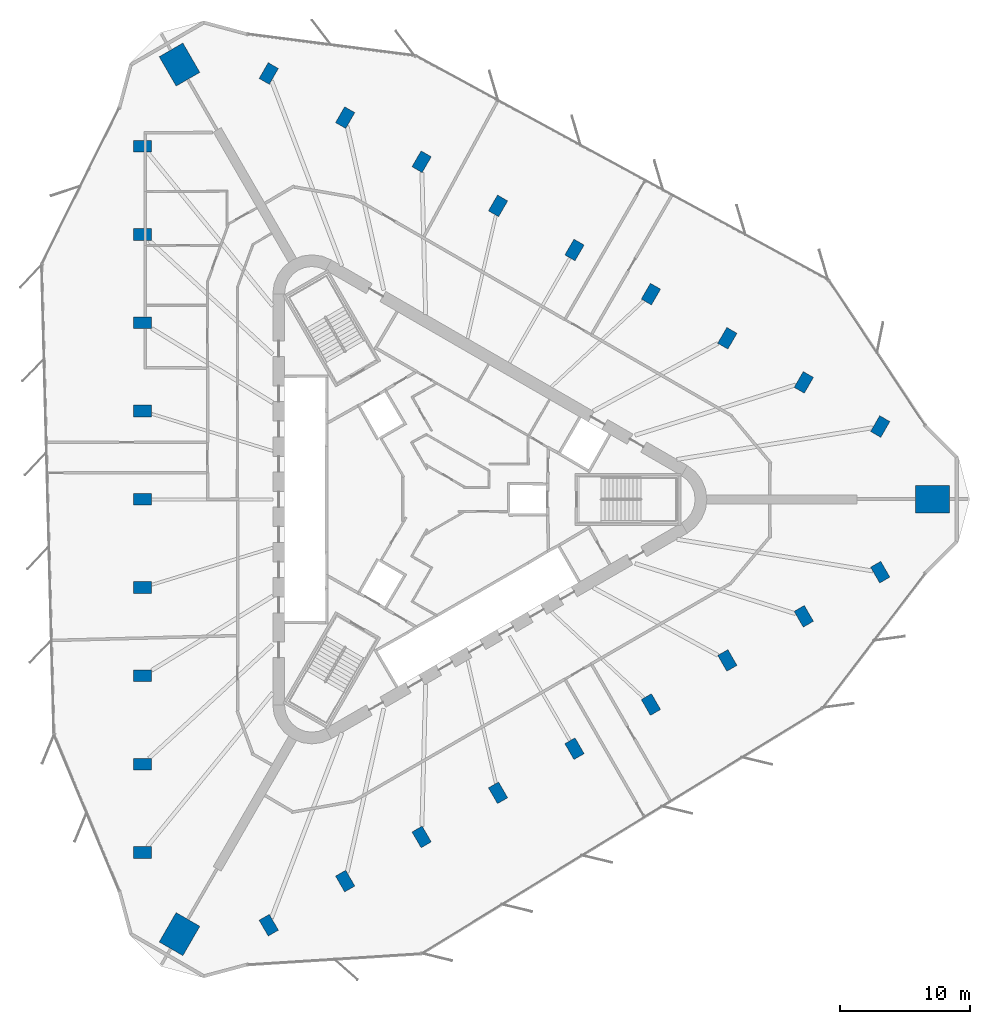
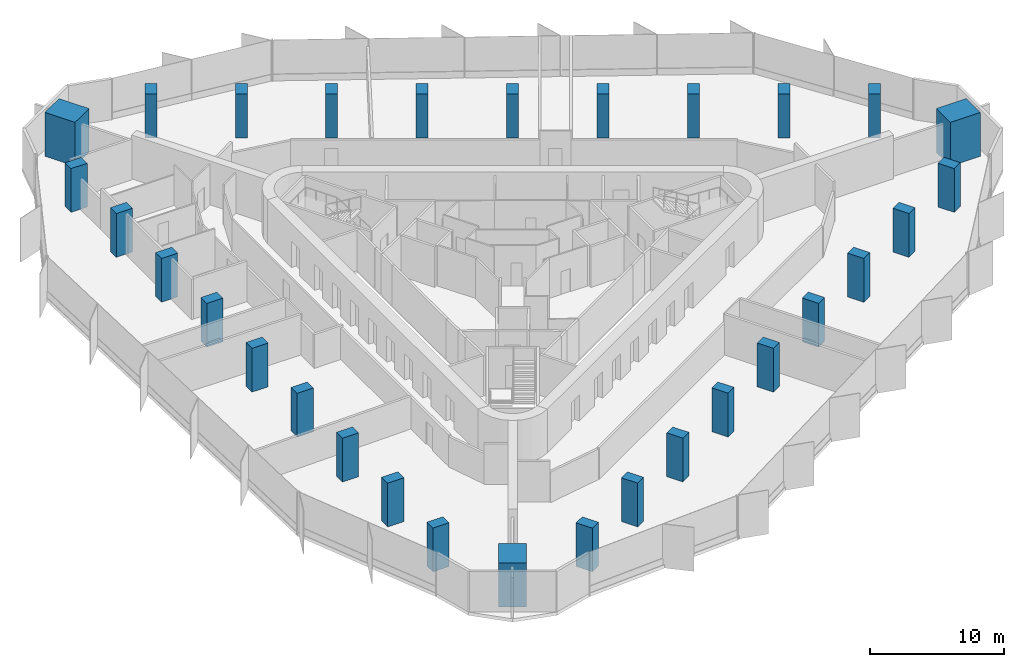
# One storey, part 1 of 14: 30 columns.
"""IFC4 building model written with IfcOpenShell, lengths in metres."""

from ifc_helpers import new_model, si_unit, direction, frame, origin, origin_2d, place, context, subcontext, project, spatial, rectangle, extrude, material, material_profile, profile_set, type_object, element, save


model = new_model("IFC4")

# Units and contexts
model_context = context("Model", 3, precision=1e-05, world=origin(), true_north=direction((0.0, 1.0)))
body_context = subcontext(model_context, "Body", "Model", "MODEL_VIEW")
ifc_project = project(units=[si_unit("LENGTHUNIT", "METRE"), si_unit("AREAUNIT", "SQUARE_METRE"), si_unit("VOLUMEUNIT", "CUBIC_METRE"), si_unit("PLANEANGLEUNIT", "RADIAN"), si_unit("MASSUNIT", "GRAM", prefix="KILO")], contexts=[model_context])

# Site, building, storey
site_placement = place(None, origin())
site = spatial("IfcSite", under=ifc_project, at=site_placement, CompositionType="ELEMENT")
building_placement = place(site_placement, origin())
building = spatial("IfcBuilding", under=site, at=building_placement, Name="Tanit Gate Tower", CompositionType="ELEMENT")
storey_placement = place(building_placement, frame((0.0, 0.0, 221.199951171875)))
storey = spatial("IfcBuildingStorey", under=building, at=storey_placement, Name="L49", CompositionType="ELEMENT", Elevation=221.199951171875)

# Columns
ifc_material_1 = material(Name="Concrete C60/75", Category="concrete")
ifc_material_profile_1 = material_profile(ifc_material_1, rectangle(XDim=2.60009765625, YDim=2.10009765625, at=origin_2d()), Name="RC 2600x2100")
ifc_profile_set_1 = profile_set([ifc_material_profile_1], Name="Concrete C60/75")
column_type_1 = type_object("IfcColumnType", Name="MEGA COLUMN 2600x2100 C60/75", PredefinedType="COLUMN", material=ifc_profile_set_1)
for number, where, z_axis, x_axis, name in (
    (1, (38.515380859375, 0.0, 0.0), (0.0, 0.0, 1.0), (1.0, 0.0, 0.0), "MEGA COLUMN"),
    (2, (-19.2578125, 33.355224609375, 0.0), (0.0, 0.0, 1.0), (-0.5, 0.866025403784, 0.0), "MEGA COLUMN"),
    (3, (-19.2578125, -33.355224609375, 0.0), (0.0, 0.0, 1.0), (-0.5, -0.866025403784, 0.0), "MEGA COLUMN"),
):
    element("IfcColumn", number, at=place(storey_placement, frame(where, z_axis=z_axis, x_axis=x_axis)), inside=storey, type_object=column_type_1, Name=name, PredefinedType="COLUMN", context=body_context, shape_type="SweptSolid", body=[
        extrude(rectangle(XDim=2.60009765625, YDim=2.10009765625, at=origin_2d()), origin(), (0.0, 0.0, 1.0), 4.0),
    ])
ifc_material_2 = material(Name="Concrete C50/60", Category="concrete")
ifc_material_profile_2 = material_profile(ifc_material_2, rectangle(XDim=1.39990234375, YDim=0.89990234375, at=origin_2d()), Name="RC 1400x900")
ifc_profile_set_2 = profile_set([ifc_material_profile_2], Name="Concrete C50/60")
column_type_2 = type_object("IfcColumnType", Name="PERIMETER COLUMN 1400x900 C50/60", PredefinedType="COLUMN", material=ifc_profile_set_2)
for number, where, z_axis, x_axis, name in (
    (4, (-22.088134765625, 27.083984375, 0.0), (0.0, 0.0, 1.0), (-1.0, 0.0, 0.0), "PERIMETER COLUMN"),
    (5, (-22.088134765625, 20.31298828125, 0.0), (0.0, 0.0, 1.0), (-1.0, 0.0, 0.0), "PERIMETER COLUMN"),
    (6, (-22.088134765625, 13.5419921875, 0.0), (0.0, 0.0, 1.0), (-1.0, 0.0, 0.0), "PERIMETER COLUMN"),
    (7, (-22.088134765625, 6.77099609375, 0.0), (0.0, 0.0, 1.0), (-1.0, 0.0, 0.0), "PERIMETER COLUMN"),
    (8, (-22.088134765625, 0.0, 0.0), (0.0, 0.0, 1.0), (-1.0, 0.0, 0.0), "PERIMETER COLUMN"),
    (9, (-22.088134765625, -6.77099609375, 0.0), (0.0, 0.0, 1.0), (-1.0, 0.0, 0.0), "PERIMETER COLUMN"),
    (10, (-22.088134765625, -13.5419921875, 0.0), (0.0, 0.0, 1.0), (-1.0, 0.0, 0.0), "PERIMETER COLUMN"),
    (11, (-22.088134765625, -20.31298828125, 0.0), (0.0, 0.0, 1.0), (-1.0, 0.0, 0.0), "PERIMETER COLUMN"),
    (12, (-22.088134765625, -27.083984375, 0.0), (0.0, 0.0, 1.0), (-1.0, 0.0, 0.0), "PERIMETER COLUMN"),
    (13, (34.49951171875, 5.5869140625, 0.0), (0.0, 0.0, 1.0), (0.5, 0.866025403784, 0.0), "PERIMETER COLUMN"),
    (14, (28.635498046875, 8.972412109375, 0.0), (0.0, 0.0, 1.0), (0.5, 0.866025403784, 0.0), "PERIMETER COLUMN"),
    (15, (22.771728515625, 12.35791015625, 0.0), (0.0, 0.0, 1.0), (0.5, 0.866025403784, 0.0), "PERIMETER COLUMN"),
    (16, (16.907958984375, 15.743408203125, 0.0), (0.0, 0.0, 1.0), (0.5, 0.866025403784, 0.0), "PERIMETER COLUMN"),
    (17, (11.0439453125, 19.12890625, 0.0), (0.0, 0.0, 1.0), (0.5, 0.866025403784, 0.0), "PERIMETER COLUMN"),
    (18, (5.18017578125, 22.514404296875, 0.0), (0.0, 0.0, 1.0), (0.5, 0.866025403784, 0.0), "PERIMETER COLUMN"),
    (19, (-0.68359375, 25.89990234375, 0.0), (0.0, 0.0, 1.0), (0.5, 0.866025403784, 0.0), "PERIMETER COLUMN"),
    (20, (-6.547607421875, 29.285400390625, 0.0), (0.0, 0.0, 1.0), (0.5, 0.866025403784, 0.0), "PERIMETER COLUMN"),
    (21, (-12.411376953125, 32.6708984375, 0.0), (0.0, 0.0, 1.0), (0.5, 0.866025403784, 0.0), "PERIMETER COLUMN"),
    (22, (-12.411376953125, -32.6708984375, 0.0), (0.0, 0.0, 1.0), (0.5, -0.866025403784, 0.0), "PERIMETER COLUMN"),
    (23, (-6.547607421875, -29.285400390625, 0.0), (0.0, 0.0, 1.0), (0.5, -0.866025403784, 0.0), "PERIMETER COLUMN"),
    (24, (-0.68359375, -25.89990234375, 0.0), (0.0, 0.0, 1.0), (0.5, -0.866025403784, 0.0), "PERIMETER COLUMN"),
    (25, (5.18017578125, -22.514404296875, 0.0), (0.0, 0.0, 1.0), (0.5, -0.866025403784, 0.0), "PERIMETER COLUMN"),
    (26, (11.0439453125, -19.12890625, 0.0), (0.0, 0.0, 1.0), (0.5, -0.866025403784, 0.0), "PERIMETER COLUMN"),
    (27, (16.907958984375, -15.743408203125, 0.0), (0.0, 0.0, 1.0), (0.5, -0.866025403784, 0.0), "PERIMETER COLUMN"),
    (28, (22.771728515625, -12.35791015625, 0.0), (0.0, 0.0, 1.0), (0.5, -0.866025403784, 0.0), "PERIMETER COLUMN"),
    (29, (28.635498046875, -8.972412109375, 0.0), (0.0, 0.0, 1.0), (0.5, -0.866025403784, 0.0), "PERIMETER COLUMN"),
    (30, (34.49951171875, -5.5869140625, 0.0), (0.0, 0.0, 1.0), (0.5, -0.866025403784, 0.0), "PERIMETER COLUMN"),
):
    element("IfcColumn", number, at=place(storey_placement, frame(where, z_axis=z_axis, x_axis=x_axis)), inside=storey, type_object=column_type_2, Name=name, PredefinedType="COLUMN", context=body_context, shape_type="SweptSolid", body=[
        extrude(rectangle(XDim=1.39990234375, YDim=0.89990234375, at=origin_2d()), origin(), (0.0, 0.0, 1.0), 4.0),
    ])

save(model, "model.ifc")
